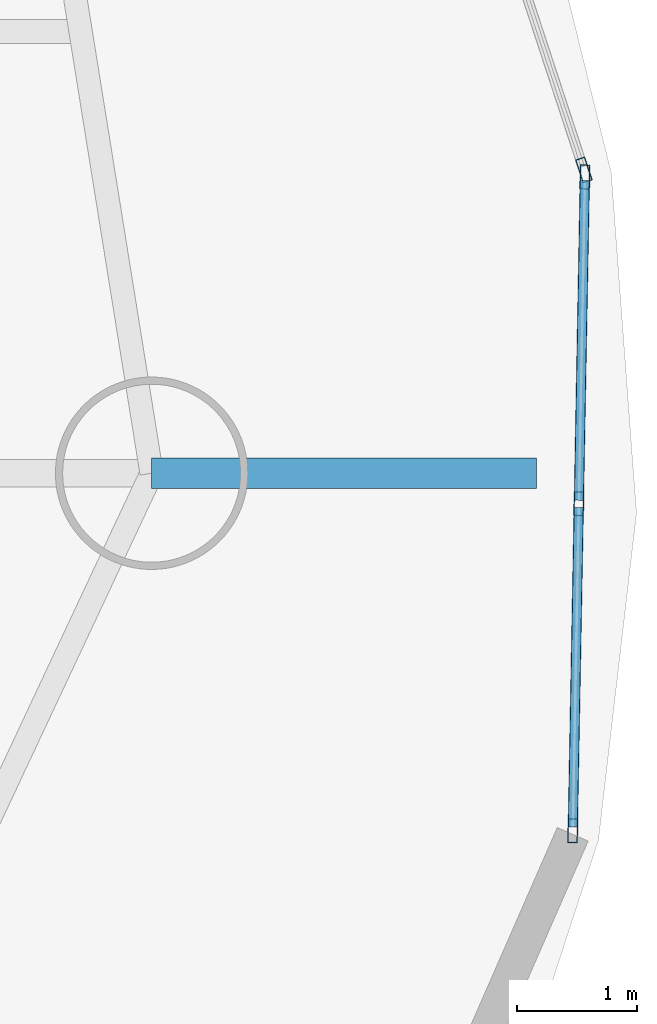
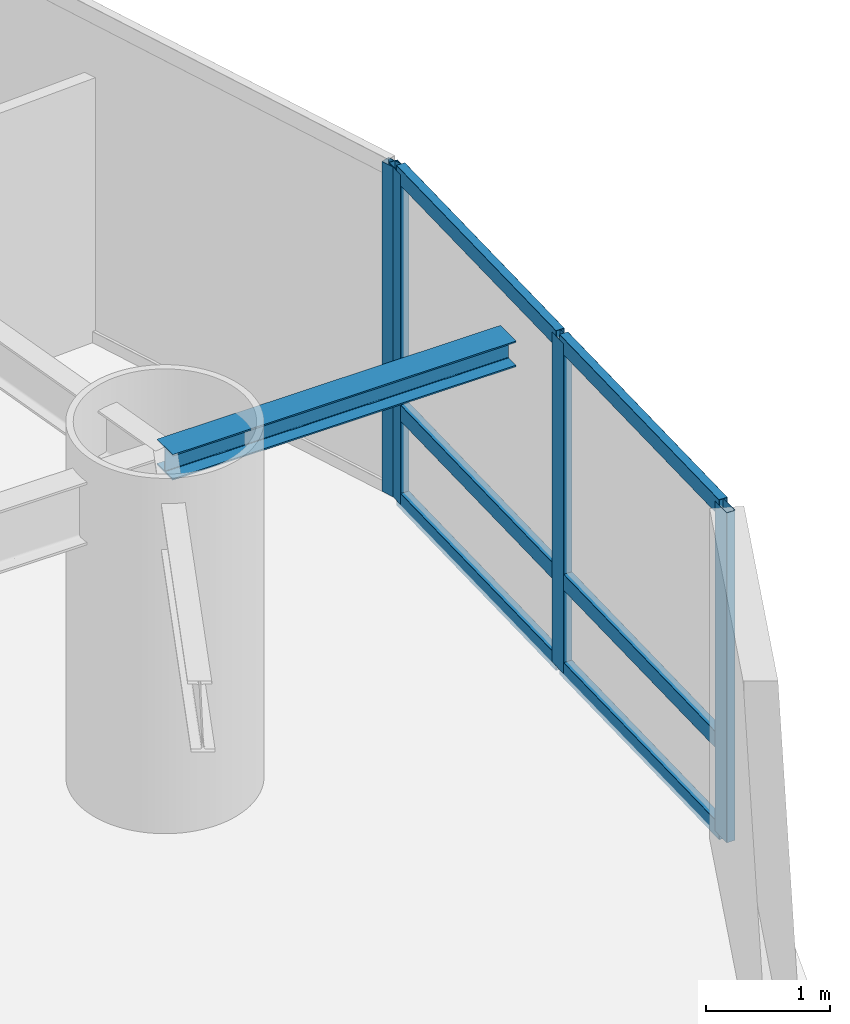
# One storey, part 10 of 24: 10 members, 1 beam, 2 elements without a shape of their own.
"""IFC4 building model written with IfcOpenShell, lengths in metres."""

from ifc_helpers import new_model, si_unit, direction, frame, origin, origin_2d, place, context, subcontext, project, spatial, hollow_rectangle, i_section, extrude, material, layer, layer_set, material_profile, profile_set, type_object, element, aggregate, save


model = new_model("IFC4")

# Units and contexts
model_context = context("Model", 3, precision=1e-05, world=origin(), true_north=direction((0.0, 1.0)))
body_context = subcontext(model_context, "Body", "Model", "MODEL_VIEW")
ifc_project = project(units=[si_unit("LENGTHUNIT", "METRE"), si_unit("AREAUNIT", "SQUARE_METRE"), si_unit("VOLUMEUNIT", "CUBIC_METRE"), si_unit("PLANEANGLEUNIT", "RADIAN"), si_unit("MASSUNIT", "GRAM", prefix="KILO")], contexts=[model_context])

# Site, building, storey
site_placement = place(None, origin())
site = spatial("IfcSite", under=ifc_project, at=site_placement, CompositionType="ELEMENT")
building_placement = place(site_placement, origin())
building = spatial("IfcBuilding", under=site, at=building_placement, Name="Bramvorn Convention Spire", CompositionType="ELEMENT")
storey_placement = place(building_placement, frame((0.0, 0.0, 83.39990234375)))
storey = spatial("IfcBuildingStorey", under=building, at=storey_placement, Name="L19", CompositionType="ELEMENT", Elevation=83.39990234375)

# Beam
ifc_material_1 = material(Name="Steel CSA G40.21 Grade 350 (350W)", Category="steel")
ifc_material_profile_1 = material_profile(ifc_material_1, i_section(OverallWidth=0.25390625, OverallDepth=0.2529296875, WebThickness=0.008544921875, FlangeThickness=0.01416015625, FilletRadius=0.011962890625, at=origin_2d()))
ifc_profile_set_1 = profile_set([ifc_material_profile_1], Name="Steel CSA G40.21 Grade 350 (350W) - W250X73")
beam_type = type_object("IfcBeamType", Name="BM-W250X73", PredefinedType="BEAM", material=ifc_profile_set_1)
beam_placement = place(storey_placement, frame((66.519775390625, 21.99169921875, 3.12353515625), z_axis=(1.0, 0.0, 0.0), x_axis=(0.0, 1.0, 0.0)))
element("IfcBeam", 1, at=beam_placement, inside=storey, type_object=beam_type, Name="L19 slab-edge cantilever tip beam MC01", PredefinedType="BEAM", context=body_context, shape_type="SweptSolid", body=[
    extrude(i_section(OverallWidth=0.25390625, OverallDepth=0.2529296875, WebThickness=0.008544921875, FlangeThickness=0.01416015625, FilletRadius=0.011962890625, at=origin_2d()), origin(), (0.0, 0.0, 1.0), 3.199951171875),
])

# Curtain wall, members
ifc_material_2 = material(Name="Anodised Bronze Unitised Curtain Wall", Category="aluminium")
ifc_layer = layer(ifc_material_2, 0.179931640625)
ifc_layer_set = layer_set([ifc_layer], Name="Anodised Bronze Unitised Curtain Wall - CW-HTL-FRIT")
curtain_wall_type = type_object("IfcCurtainWallType", Name="CW-HTL-FRIT", PredefinedType="USERDEFINED", material=ifc_layer_set)
curtain_wall_1_placement = place(storey_placement, origin())
curtain_wall_1 = element("IfcCurtainWall", 2, at=curtain_wall_1_placement, inside=storey, type_object=curtain_wall_type, Name="L19 fritted glass curtain wall 01", ObjectType="UNITISED CURTAIN WALL", PredefinedType="USERDEFINED")
ifc_material_3 = material(Name="Anodised Bronze Aluminium 6063-T6", Category="aluminium")
ifc_material_profile_2 = material_profile(ifc_material_3, hollow_rectangle(XDim=0.080078125, YDim=0.199951171875, WallThickness=0.00390625, InnerFilletRadius=0.0009765625, OuterFilletRadius=0.00390625, at=origin_2d()))
ifc_profile_set_2 = profile_set([ifc_material_profile_2], Name="Anodised Bronze Aluminium 6063-T6 - CWM80X200")
member_type_1 = type_object("IfcMemberType", Name="CW-MUL-180", PredefinedType="MULLION", material=ifc_profile_set_2)
member_1_placement = place(storey_placement, frame((70.122802734375, 24.455322265625, 0.0), z_axis=(0.0, 0.0, 1.0), x_axis=(0.999828195721, -0.018535885218, 0.0)))
member_1 = element("IfcMember", 3, at=member_1_placement, type_object=member_type_1, Name="CW2 mullion 1", PredefinedType="MULLION", context=body_context, shape_type="SweptSolid", body=[
    extrude(hollow_rectangle(XDim=0.080078125, YDim=0.199951171875, WallThickness=0.00390625, InnerFilletRadius=0.0009765625, OuterFilletRadius=0.00390625, at=origin_2d()), origin(), (0.0, 0.0, 1.0), 3.25),
])
member_2_placement = place(storey_placement, frame((70.072265625, 21.737060546875, 0.0), z_axis=(0.0, 0.0, 1.0), x_axis=(0.999828195721, -0.018535885218, 0.0)))
member_2 = element("IfcMember", 4, at=member_2_placement, type_object=member_type_1, Name="CW2 mullion 2", PredefinedType="MULLION", context=body_context, shape_type="SweptSolid", body=[
    extrude(hollow_rectangle(XDim=0.080078125, YDim=0.199951171875, WallThickness=0.00390625, InnerFilletRadius=0.0009765625, OuterFilletRadius=0.00390625, at=origin_2d()), origin(), (0.0, 0.0, 1.0), 3.25),
])
member_3_placement = place(storey_placement, frame((70.02197265625, 19.018798828125, 0.0), z_axis=(0.0, 0.0, 1.0), x_axis=(0.999828195721, -0.018535885218, 0.0)))
member_3 = element("IfcMember", 5, at=member_3_placement, type_object=member_type_1, Name="CW2 mullion 3", PredefinedType="MULLION", context=body_context, shape_type="SweptSolid", body=[
    extrude(hollow_rectangle(XDim=0.080078125, YDim=0.199951171875, WallThickness=0.00390625, InnerFilletRadius=0.0009765625, OuterFilletRadius=0.00390625, at=origin_2d()), origin(), (0.0, 0.0, 1.0), 3.25),
])

# Curtain wall, member
curtain_wall_2_placement = place(storey_placement, origin())
curtain_wall_2 = element("IfcCurtainWall", 6, at=curtain_wall_2_placement, inside=storey, type_object=curtain_wall_type, Name="L19 fritted glass curtain wall 02", ObjectType="UNITISED CURTAIN WALL", PredefinedType="USERDEFINED")
member_4_placement = place(storey_placement, frame((70.114013671875, 24.513916015625, 0.0), z_axis=(0.0, 0.0, 1.0), x_axis=(0.950133245495, 0.311844217206, 0.0)))
member_4 = element("IfcMember", 7, at=member_4_placement, type_object=member_type_1, Name="CW2 mullion 2", PredefinedType="MULLION", context=body_context, shape_type="SweptSolid", body=[
    extrude(hollow_rectangle(XDim=0.080078125, YDim=0.199951171875, WallThickness=0.00390625, InnerFilletRadius=0.0009765625, OuterFilletRadius=0.00390625, at=origin_2d()), origin(), (0.0, 0.0, 1.0), 3.25),
])
aggregate(curtain_wall_2, [member_4])

# Member
ifc_material_profile_3 = material_profile(ifc_material_3, hollow_rectangle(XDim=0.080078125, YDim=0.159912109375, WallThickness=0.00390625, InnerFilletRadius=0.0009765625, OuterFilletRadius=0.00390625, at=origin_2d()))
ifc_profile_set_3 = profile_set([ifc_material_profile_3], Name="Anodised Bronze Aluminium 6063-T6 - CWT80X160")
member_type_2 = type_object("IfcMemberType", Name="CW-TRN-150", PredefinedType="USERDEFINED", material=ifc_profile_set_3)
member_5_placement = place(storey_placement, frame((70.1220703125, 24.42529296875, 0.030029296875), z_axis=(-0.018457545798, -0.999829644991, 0.0), x_axis=(0.999829644991, -0.018457545798, 0.0)))
member_5 = element("IfcMember", 8, at=member_5_placement, type_object=member_type_2, Name="CW2 transom 1.1", ObjectType="TRANSOM", PredefinedType="USERDEFINED", context=body_context, shape_type="SweptSolid", body=[
    extrude(hollow_rectangle(XDim=0.080078125, YDim=0.159912109375, WallThickness=0.00390625, InnerFilletRadius=0.0009765625, OuterFilletRadius=0.00390625, at=origin_2d()), origin(), (0.0, 0.0, 1.0), 2.65869140625),
])

member_6_placement = place(storey_placement, frame((70.1220703125, 24.42529296875, 0.900146484375), z_axis=(-0.018457545798, -0.999829644991, 0.0), x_axis=(0.999829644991, -0.018457545798, 0.0)))
member_6 = element("IfcMember", 9, at=member_6_placement, type_object=member_type_2, Name="CW2 transom 1.2", ObjectType="TRANSOM", PredefinedType="USERDEFINED", context=body_context, shape_type="SweptSolid", body=[
    extrude(hollow_rectangle(XDim=0.080078125, YDim=0.159912109375, WallThickness=0.00390625, InnerFilletRadius=0.0009765625, OuterFilletRadius=0.00390625, at=origin_2d()), origin(), (0.0, 0.0, 1.0), 2.65869140625),
])

member_7_placement = place(storey_placement, frame((70.1220703125, 24.42529296875, 3.22021484375), z_axis=(-0.018457545798, -0.999829644991, 0.0), x_axis=(0.999829644991, -0.018457545798, 0.0)))
member_7 = element("IfcMember", 10, at=member_7_placement, type_object=member_type_2, Name="CW2 transom 1.3", ObjectType="TRANSOM", PredefinedType="USERDEFINED", context=body_context, shape_type="SweptSolid", body=[
    extrude(hollow_rectangle(XDim=0.080078125, YDim=0.159912109375, WallThickness=0.00390625, InnerFilletRadius=0.0009765625, OuterFilletRadius=0.00390625, at=origin_2d()), origin(), (0.0, 0.0, 1.0), 2.65869140625),
])

member_8_placement = place(storey_placement, frame((70.07177734375, 21.707275390625, 0.030029296875), z_axis=(-0.018547639958, -0.99982797773, 0.0), x_axis=(0.99982797773, -0.018547639958, 0.0)))
member_8 = element("IfcMember", 11, at=member_8_placement, type_object=member_type_2, Name="CW2 transom 2.1", ObjectType="TRANSOM", PredefinedType="USERDEFINED", context=body_context, shape_type="SweptSolid", body=[
    extrude(hollow_rectangle(XDim=0.080078125, YDim=0.159912109375, WallThickness=0.00390625, InnerFilletRadius=0.0009765625, OuterFilletRadius=0.00390625, at=origin_2d()), origin(), (0.0, 0.0, 1.0), 2.658935546875),
])

member_9_placement = place(storey_placement, frame((70.07177734375, 21.707275390625, 0.900146484375), z_axis=(-0.018547639958, -0.99982797773, 0.0), x_axis=(0.99982797773, -0.018547639958, 0.0)))
member_9 = element("IfcMember", 12, at=member_9_placement, type_object=member_type_2, Name="CW2 transom 2.2", ObjectType="TRANSOM", PredefinedType="USERDEFINED", context=body_context, shape_type="SweptSolid", body=[
    extrude(hollow_rectangle(XDim=0.080078125, YDim=0.159912109375, WallThickness=0.00390625, InnerFilletRadius=0.0009765625, OuterFilletRadius=0.00390625, at=origin_2d()), origin(), (0.0, 0.0, 1.0), 2.658935546875),
])

member_10_placement = place(storey_placement, frame((70.07177734375, 21.707275390625, 3.22021484375), z_axis=(-0.018547639958, -0.99982797773, 0.0), x_axis=(0.99982797773, -0.018547639958, 0.0)))
member_10 = element("IfcMember", 13, at=member_10_placement, type_object=member_type_2, Name="CW2 transom 2.3", ObjectType="TRANSOM", PredefinedType="USERDEFINED", context=body_context, shape_type="SweptSolid", body=[
    extrude(hollow_rectangle(XDim=0.080078125, YDim=0.159912109375, WallThickness=0.00390625, InnerFilletRadius=0.0009765625, OuterFilletRadius=0.00390625, at=origin_2d()), origin(), (0.0, 0.0, 1.0), 2.658935546875),
])

aggregate(curtain_wall_1, [member_1, member_2, member_3, member_5, member_6, member_7, member_8, member_9, member_10])

save(model, "model.ifc")
